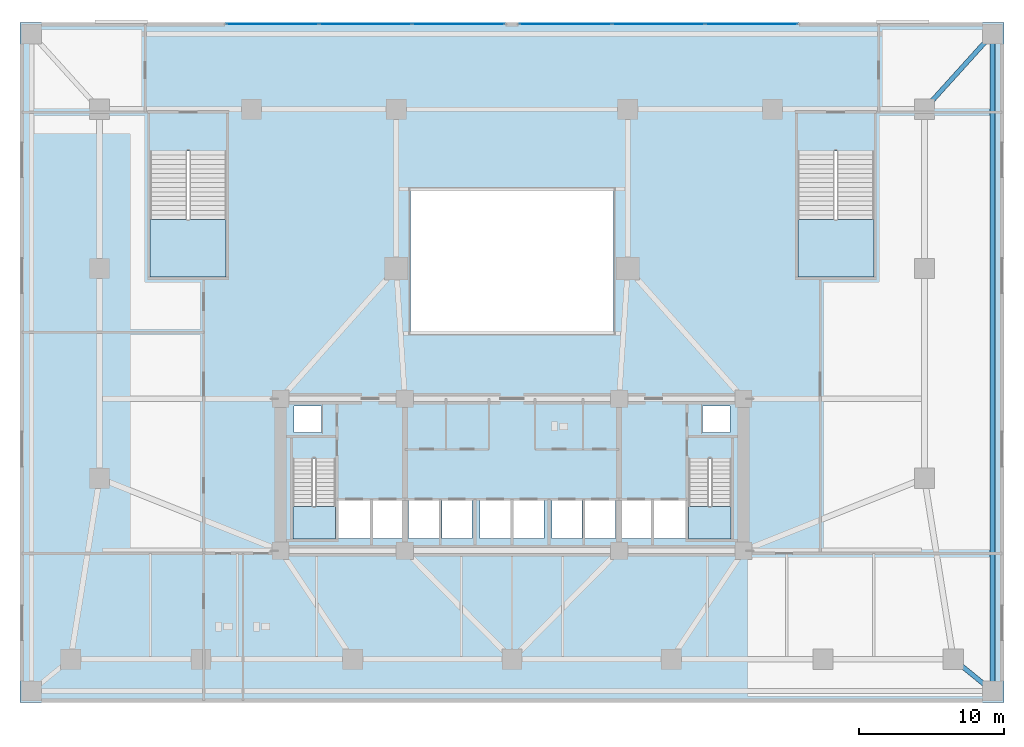
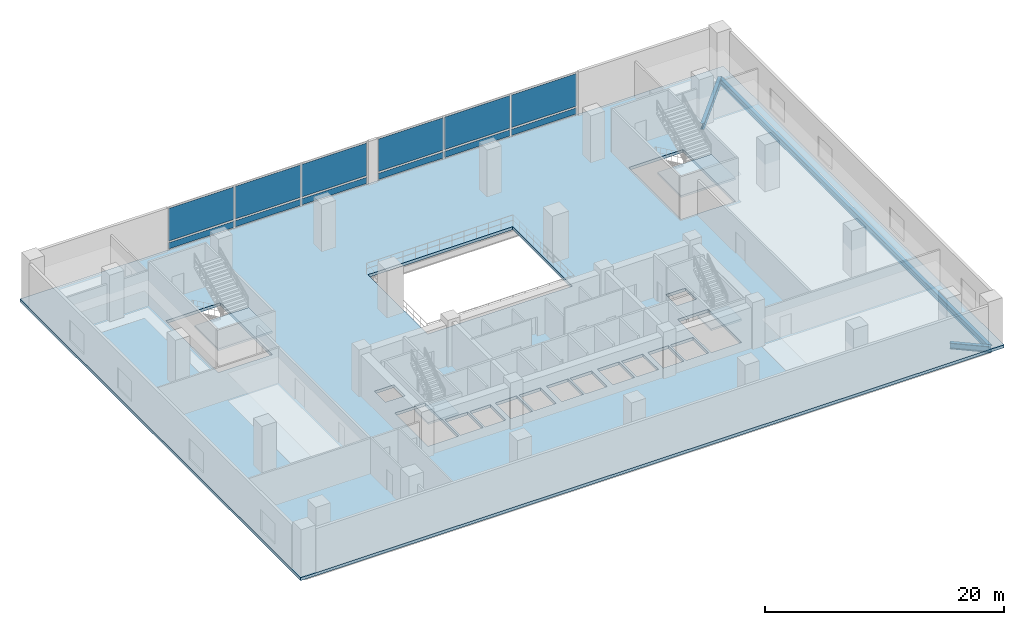
# One storey, part 5 of 15: 12 plates, 5 slabs, 3 beams, 6 elements without a shape of their own.
"""IFC4 building model written with IfcOpenShell, lengths in metres."""

from ifc_helpers import new_model, si_unit, direction, frame, origin, origin_2d, place, context, subcontext, project, spatial, polyline, rectangle, i_section, outline, extrude, material, layer, layer_set, material_profile, profile_set, type_object, element, aggregate, save


model = new_model("IFC4")

# Units and contexts
model_context = context("Model", 3, precision=1e-05, world=origin(), true_north=direction((0.0, 1.0)))
body_context = subcontext(model_context, "Body", "Model", "MODEL_VIEW")
ifc_project = project(units=[si_unit("LENGTHUNIT", "METRE"), si_unit("AREAUNIT", "SQUARE_METRE"), si_unit("VOLUMEUNIT", "CUBIC_METRE"), si_unit("PLANEANGLEUNIT", "RADIAN"), si_unit("MASSUNIT", "GRAM", prefix="KILO")], contexts=[model_context])

# Site, building, storey
site_placement = place(None, origin())
site = spatial("IfcSite", under=ifc_project, at=site_placement, CompositionType="ELEMENT")
building_placement = place(site_placement, origin())
building = spatial("IfcBuilding", under=site, at=building_placement, Name="Solmavex Isthmus Hotel", CompositionType="ELEMENT")
storey_placement = place(building_placement, frame((0.0, 0.0, 11.39990234375)))
storey = spatial("IfcBuildingStorey", under=building, at=storey_placement, Name="L03", CompositionType="ELEMENT", Elevation=11.39990234375)

# Beams
ifc_material_1 = material(Name="Steel ASTM A992 Grade 50", Category="steel")
ifc_material_profile = material_profile(ifc_material_1, i_section(OverallWidth=0.326416015625, OverallDepth=0.621826171875, WebThickness=0.015380859375, FlangeThickness=0.0244140625, FilletRadius=0.01513671875, at=origin_2d()), Name="W24X131")
ifc_profile_set = profile_set([ifc_material_profile], Name="Steel ASTM A992 Grade 50")
beam_type = type_object("IfcBeamType", Name="BM-SP-W24X131", PredefinedType="SPANDREL", material=ifc_profile_set)
beam_1_placement = place(storey_placement, frame((30.5, -20.5, -0.61083984375), z_axis=(0.77523625691, -0.631671390814, 0.0), x_axis=(0.631671390814, 0.77523625691, 0.0)))
element("IfcBeam", 1, at=beam_1_placement, inside=storey, type_object=beam_type, Name="Podium Corner Perimeter Girder L03-CR02", PredefinedType="SPANDREL", context=body_context, shape_type="SweptSolid", body=[
    extrude(i_section(OverallWidth=0.326416015625, OverallDepth=0.621826171875, WebThickness=0.015380859375, FlangeThickness=0.0244140625, FilletRadius=0.01513671875, at=origin_2d()), origin(), (0.0, 0.0, 1.0), 3.482666015625),
])
beam_2_placement = place(storey_placement, frame((33.199951171875, -22.699951171875, -0.61083984375), z_axis=(0.0, 1.0, 0.0), x_axis=(-1.0, 0.0, 0.0)))
element("IfcBeam", 2, at=beam_2_placement, inside=storey, type_object=beam_type, Name="Podium Corner Perimeter Girder L03-CR04", PredefinedType="SPANDREL", context=body_context, shape_type="SweptSolid", body=[
    extrude(i_section(OverallWidth=0.326416015625, OverallDepth=0.621826171875, WebThickness=0.015380859375, FlangeThickness=0.0244140625, FilletRadius=0.01513671875, at=origin_2d()), origin(), (0.0, 0.0, 1.0), 45.39990234375),
])
beam_3_placement = place(storey_placement, frame((28.5, 17.5, -0.61083984375), z_axis=(0.670539300557, 0.741874009795, 0.0), x_axis=(-0.741874009795, 0.670539300557, 0.0)))
element("IfcBeam", 3, at=beam_3_placement, inside=storey, type_object=beam_type, Name="Podium Corner Perimeter Girder L03-CR06", PredefinedType="SPANDREL", context=body_context, shape_type="SweptSolid", body=[
    extrude(i_section(OverallWidth=0.326416015625, OverallDepth=0.621826171875, WebThickness=0.015380859375, FlangeThickness=0.0244140625, FilletRadius=0.01513671875, at=origin_2d()), origin(), (0.0, 0.0, 1.0), 7.00927734375),
])

# Curtain wall, plates
ifc_material_2 = material(Name="Aluminium alloy 6063-T6", Category="aluminium")
curtain_wall_type = type_object("IfcCurtainWallType", Name="CW-SYS-01", PredefinedType="NOTDEFINED", material=ifc_material_2)
curtain_wall_1_placement = place(storey_placement, origin())
curtain_wall_1 = element("IfcCurtainWall", 4, at=curtain_wall_1_placement, inside=storey, type_object=curtain_wall_type, Name="Stick Curtain Wall CWL-L03-NW", PredefinedType="NOTDEFINED")
ifc_material_3 = material(Name="Clear low-E laminated glass", Category="glass")
ifc_layer_1 = layer(ifc_material_3, 0.035888671875)
ifc_layer_set_1 = layer_set([ifc_layer_1], Name="Clear low-E laminated glass")
plate_type = type_object("IfcPlateType", Name="CW-SYS-01-PNL", PredefinedType="CURTAIN_PANEL", material=ifc_layer_set_1)
plate_1_placement = place(storey_placement, frame((-16.554931640625, 23.3798828125, 0.18017578125), z_axis=(0.0, 0.0, 1.0), x_axis=(1.0, 0.0, 0.0)))
plate_1 = element("IfcPlate", 5, at=plate_1_placement, type_object=plate_type, Name="CW-01 panel 1.1", PredefinedType="CURTAIN_PANEL", context=body_context, shape_type="SweptSolid", body=[
    extrude(rectangle(XDim=6.330078125, YDim=0.035888671875, at=origin_2d()), origin(), (0.0, 0.0, 1.0), 0.6298828125),
])
plate_2_placement = place(storey_placement, frame((-16.554931640625, 23.3798828125, 0.989990234375), z_axis=(0.0, 0.0, 1.0), x_axis=(1.0, 0.0, 0.0)))
plate_2 = element("IfcPlate", 6, at=plate_2_placement, type_object=plate_type, Name="CW-01 panel 1.2", PredefinedType="CURTAIN_PANEL", context=body_context, shape_type="SweptSolid", body=[
    extrude(rectangle(XDim=6.330078125, YDim=0.035888671875, at=origin_2d()), origin(), (0.0, 0.0, 1.0), 3.330078125),
])
plate_3_placement = place(storey_placement, frame((-10.125, 23.3798828125, 0.18017578125), z_axis=(0.0, 0.0, 1.0), x_axis=(1.0, 0.0, 0.0)))
plate_3 = element("IfcPlate", 7, at=plate_3_placement, type_object=plate_type, Name="CW-01 panel 2.1", PredefinedType="CURTAIN_PANEL", context=body_context, shape_type="SweptSolid", body=[
    extrude(rectangle(XDim=6.3701171875, YDim=0.035888671875, at=origin_2d()), origin(), (0.0, 0.0, 1.0), 0.6298828125),
])
plate_4_placement = place(storey_placement, frame((-10.125, 23.3798828125, 0.989990234375), z_axis=(0.0, 0.0, 1.0), x_axis=(1.0, 0.0, 0.0)))
plate_4 = element("IfcPlate", 8, at=plate_4_placement, type_object=plate_type, Name="CW-01 panel 2.2", PredefinedType="CURTAIN_PANEL", context=body_context, shape_type="SweptSolid", body=[
    extrude(rectangle(XDim=6.3701171875, YDim=0.035888671875, at=origin_2d()), origin(), (0.0, 0.0, 1.0), 3.330078125),
])
plate_5_placement = place(storey_placement, frame((-3.695068359375, 23.3798828125, 0.18017578125), z_axis=(0.0, 0.0, 1.0), x_axis=(1.0, 0.0, 0.0)))
plate_5 = element("IfcPlate", 9, at=plate_5_placement, type_object=plate_type, Name="CW-01 panel 3.1", PredefinedType="CURTAIN_PANEL", context=body_context, shape_type="SweptSolid", body=[
    extrude(rectangle(XDim=6.330078125, YDim=0.035888671875, at=origin_2d()), origin(), (0.0, 0.0, 1.0), 0.6298828125),
])
plate_6_placement = place(storey_placement, frame((-3.695068359375, 23.3798828125, 0.989990234375), z_axis=(0.0, 0.0, 1.0), x_axis=(1.0, 0.0, 0.0)))
plate_6 = element("IfcPlate", 10, at=plate_6_placement, type_object=plate_type, Name="CW-01 panel 3.2", PredefinedType="CURTAIN_PANEL", context=body_context, shape_type="SweptSolid", body=[
    extrude(rectangle(XDim=6.330078125, YDim=0.035888671875, at=origin_2d()), origin(), (0.0, 0.0, 1.0), 3.330078125),
])
aggregate(curtain_wall_1, [plate_1, plate_2, plate_3, plate_4, plate_5, plate_6])

curtain_wall_2_placement = place(storey_placement, origin())
curtain_wall_2 = element("IfcCurtainWall", 11, at=curtain_wall_2_placement, inside=storey, type_object=curtain_wall_type, Name="Stick Curtain Wall CWL-L03-NE", PredefinedType="NOTDEFINED")
plate_7_placement = place(storey_placement, frame((3.695068359375, 23.3798828125, 0.18017578125), z_axis=(0.0, 0.0, 1.0), x_axis=(1.0, 0.0, 0.0)))
plate_7 = element("IfcPlate", 12, at=plate_7_placement, type_object=plate_type, Name="CW-01 panel 1.1", PredefinedType="CURTAIN_PANEL", context=body_context, shape_type="SweptSolid", body=[
    extrude(rectangle(XDim=6.330078125, YDim=0.035888671875, at=origin_2d()), origin(), (0.0, 0.0, 1.0), 0.6298828125),
])
plate_8_placement = place(storey_placement, frame((3.695068359375, 23.3798828125, 0.989990234375), z_axis=(0.0, 0.0, 1.0), x_axis=(1.0, 0.0, 0.0)))
plate_8 = element("IfcPlate", 13, at=plate_8_placement, type_object=plate_type, Name="CW-01 panel 1.2", PredefinedType="CURTAIN_PANEL", context=body_context, shape_type="SweptSolid", body=[
    extrude(rectangle(XDim=6.330078125, YDim=0.035888671875, at=origin_2d()), origin(), (0.0, 0.0, 1.0), 3.330078125),
])
plate_9_placement = place(storey_placement, frame((10.125, 23.3798828125, 0.18017578125), z_axis=(0.0, 0.0, 1.0), x_axis=(1.0, 0.0, 0.0)))
plate_9 = element("IfcPlate", 14, at=plate_9_placement, type_object=plate_type, Name="CW-01 panel 2.1", PredefinedType="CURTAIN_PANEL", context=body_context, shape_type="SweptSolid", body=[
    extrude(rectangle(XDim=6.3701171875, YDim=0.035888671875, at=origin_2d()), origin(), (0.0, 0.0, 1.0), 0.6298828125),
])
plate_10_placement = place(storey_placement, frame((10.125, 23.3798828125, 0.989990234375), z_axis=(0.0, 0.0, 1.0), x_axis=(1.0, 0.0, 0.0)))
plate_10 = element("IfcPlate", 15, at=plate_10_placement, type_object=plate_type, Name="CW-01 panel 2.2", PredefinedType="CURTAIN_PANEL", context=body_context, shape_type="SweptSolid", body=[
    extrude(rectangle(XDim=6.3701171875, YDim=0.035888671875, at=origin_2d()), origin(), (0.0, 0.0, 1.0), 3.330078125),
])
plate_11_placement = place(storey_placement, frame((16.554931640625, 23.3798828125, 0.18017578125), z_axis=(0.0, 0.0, 1.0), x_axis=(1.0, 0.0, 0.0)))
plate_11 = element("IfcPlate", 16, at=plate_11_placement, type_object=plate_type, Name="CW-01 panel 3.1", PredefinedType="CURTAIN_PANEL", context=body_context, shape_type="SweptSolid", body=[
    extrude(rectangle(XDim=6.330078125, YDim=0.035888671875, at=origin_2d()), origin(), (0.0, 0.0, 1.0), 0.6298828125),
])
plate_12_placement = place(storey_placement, frame((16.554931640625, 23.3798828125, 0.989990234375), z_axis=(0.0, 0.0, 1.0), x_axis=(1.0, 0.0, 0.0)))
plate_12 = element("IfcPlate", 17, at=plate_12_placement, type_object=plate_type, Name="CW-01 panel 3.2", PredefinedType="CURTAIN_PANEL", context=body_context, shape_type="SweptSolid", body=[
    extrude(rectangle(XDim=6.330078125, YDim=0.035888671875, at=origin_2d()), origin(), (0.0, 0.0, 1.0), 3.330078125),
])
aggregate(curtain_wall_2, [plate_7, plate_8, plate_9, plate_10, plate_11, plate_12])

# Slab
ifc_material_4 = material(Name="Concrete C40/50", Category="concrete")
ifc_layer_2 = layer(ifc_material_4, 0.300048828125)
ifc_layer_set_2 = layer_set([ifc_layer_2], Name="Concrete C40/50")
slab_type_1 = type_object("IfcSlabType", Name="SLAB-POD-300", PredefinedType="FLOOR", material=ifc_layer_set_2)
slab_1_placement = place(storey_placement, frame((0.0, 0.0, -0.2998046875)))
element("IfcSlab", 18, at=slab_1_placement, inside=storey, type_object=slab_type_1, Name="Podium Floor Slab L03", PredefinedType="FLOOR", context=body_context, shape_type="SweptSolid", body=[
    extrude(outline(polyline([(-34.0, -23.5), (34.0, -23.5), (34.0, 23.5), (-34.0, 23.5), (-34.0, -23.5)]), holes=[polyline([(-15.14990234375, -6.617919921875), (-15.14990234375, -12.199951171875), (-12.199951171875, -12.199951171875), (-12.199951171875, -6.617919921875), (-15.14990234375, -6.617919921875)]), polyline([(12.199951171875, -6.617919921875), (12.199951171875, -12.199951171875), (15.14990234375, -12.199951171875), (15.14990234375, -6.617919921875), (12.199951171875, -6.617919921875)]), polyline([(19.75, 14.632080078125), (19.75, 5.89990234375), (25.0, 5.89990234375), (25.0, 14.632080078125), (19.75, 14.632080078125)]), polyline([(-25.0, 14.632080078125), (-25.0, 5.89990234375), (-19.75, 5.89990234375), (-19.75, 14.632080078125), (-25.0, 14.632080078125)]), polyline([(-12.0, -12.14990234375), (-9.800048828125, -12.14990234375), (-9.800048828125, -9.550048828125), (-12.0, -9.550048828125), (-12.0, -12.14990234375)]), polyline([(9.800048828125, -12.14990234375), (12.0, -12.14990234375), (12.0, -9.550048828125), (9.800048828125, -9.550048828125), (9.800048828125, -12.14990234375)]), polyline([(-9.60009765625, -12.14990234375), (-7.60009765625, -12.14990234375), (-7.60009765625, -9.550048828125), (-9.60009765625, -9.550048828125), (-9.60009765625, -12.14990234375)]), polyline([(7.60009765625, -12.14990234375), (9.60009765625, -12.14990234375), (9.60009765625, -9.550048828125), (7.60009765625, -9.550048828125), (7.60009765625, -12.14990234375)]), polyline([(-7.14990234375, -12.14990234375), (-5.050048828125, -12.14990234375), (-5.050048828125, -9.550048828125), (-7.14990234375, -9.550048828125), (-7.14990234375, -12.14990234375)]), polyline([(-4.85009765625, -12.14990234375), (-2.75, -12.14990234375), (-2.75, -9.550048828125), (-4.85009765625, -9.550048828125), (-4.85009765625, -12.14990234375)]), polyline([(-2.199951171875, -12.14990234375), (-0.10009765625, -12.14990234375), (-0.10009765625, -9.550048828125), (-2.199951171875, -9.550048828125), (-2.199951171875, -12.14990234375)]), polyline([(0.10009765625, -12.14990234375), (2.199951171875, -12.14990234375), (2.199951171875, -9.550048828125), (0.10009765625, -9.550048828125), (0.10009765625, -12.14990234375)]), polyline([(2.75, -12.14990234375), (4.85009765625, -12.14990234375), (4.85009765625, -9.550048828125), (2.75, -9.550048828125), (2.75, -12.14990234375)]), polyline([(5.050048828125, -12.14990234375), (7.14990234375, -12.14990234375), (7.14990234375, -9.550048828125), (5.050048828125, -9.550048828125), (5.050048828125, -12.14990234375)]), polyline([(-7.0, 2.0), (7.0, 2.0), (7.0, 12.0), (-7.0, 12.0), (-7.0, 2.0)]), polyline([(-15.050048828125, -4.85009765625), (-13.14990234375, -4.85009765625), (-13.14990234375, -3.0), (-15.050048828125, -3.0), (-15.050048828125, -4.85009765625)]), polyline([(13.14990234375, -4.85009765625), (15.050048828125, -4.85009765625), (15.050048828125, -3.0), (13.14990234375, -3.0), (13.14990234375, -4.85009765625)])]), origin(), (0.0, 0.0, 1.0), 0.2998046875),
])

# Stair, slab
stair_type_1 = type_object("IfcStairType", Name="STR-ST-1", PredefinedType="HALF_TURN_STAIR", material=ifc_material_4)
stair_1_placement = place(storey_placement, origin())
stair_1 = element("IfcStair", 19, at=stair_1_placement, inside=storey, type_object=stair_type_1, Name="L03 Protected Exit Stair ST-1", PredefinedType="HALF_TURN_STAIR")
ifc_layer_3 = layer(ifc_material_4, 0.219970703125)
ifc_layer_set_3 = layer_set([ifc_layer_3], Name="Concrete C40/50")
slab_type_2 = type_object("IfcSlabType", Name="SLD-ST-1", PredefinedType="LANDING", material=ifc_layer_set_3)
slab_2_placement = place(storey_placement, frame((0.0, 0.0, 2.2001953125)))
slab_2 = element("IfcSlab", 20, at=slab_2_placement, type_object=slab_type_2, Name="ST-1 landing 1", PredefinedType="LANDING", context=body_context, shape_type="SweptSolid", body=[
    extrude(outline(polyline([(-15.14990234375, -9.9599609375), (-15.14990234375, -12.199951171875), (-12.199951171875, -12.199951171875), (-12.199951171875, -9.9599609375), (-15.14990234375, -9.9599609375)])), origin(), (0.0, 0.0, 1.0), 0.199951171875),
])
aggregate(stair_1, [slab_2])

stair_type_2 = type_object("IfcStairType", Name="STR-ST-2", PredefinedType="HALF_TURN_STAIR", material=ifc_material_4)
stair_2_placement = place(storey_placement, origin())
stair_2 = element("IfcStair", 21, at=stair_2_placement, inside=storey, type_object=stair_type_2, Name="L03 Protected Exit Stair ST-2", PredefinedType="HALF_TURN_STAIR")
ifc_layer_4 = layer(ifc_material_4, 0.219970703125)
ifc_layer_set_4 = layer_set([ifc_layer_4], Name="Concrete C40/50")
slab_type_3 = type_object("IfcSlabType", Name="SLD-ST-2", PredefinedType="LANDING", material=ifc_layer_set_4)
slab_3_placement = place(storey_placement, frame((0.0, 0.0, 2.2001953125)))
slab_3 = element("IfcSlab", 22, at=slab_3_placement, type_object=slab_type_3, Name="ST-2 landing 1", PredefinedType="LANDING", context=body_context, shape_type="SweptSolid", body=[
    extrude(outline(polyline([(12.199951171875, -9.9599609375), (12.199951171875, -12.199951171875), (15.14990234375, -12.199951171875), (15.14990234375, -9.9599609375), (12.199951171875, -9.9599609375)])), origin(), (0.0, 0.0, 1.0), 0.199951171875),
])
aggregate(stair_2, [slab_3])

stair_type_3 = type_object("IfcStairType", Name="STR-ST-3", PredefinedType="HALF_TURN_STAIR", material=ifc_material_4)
stair_3_placement = place(storey_placement, origin())
stair_3 = element("IfcStair", 23, at=stair_3_placement, inside=storey, type_object=stair_type_3, Name="L03 Podium Assembly Exit Stair ST-3", PredefinedType="HALF_TURN_STAIR")
ifc_layer_5 = layer(ifc_material_4, 0.219970703125)
ifc_layer_set_5 = layer_set([ifc_layer_5], Name="Concrete C40/50")
slab_type_4 = type_object("IfcSlabType", Name="SLD-ST-3", PredefinedType="LANDING", material=ifc_layer_set_5)
slab_4_placement = place(storey_placement, frame((0.0, 0.0, 2.2001953125)))
slab_4 = element("IfcSlab", 24, at=slab_4_placement, type_object=slab_type_4, Name="ST-3 landing 1", PredefinedType="LANDING", context=body_context, shape_type="SweptSolid", body=[
    extrude(outline(polyline([(19.75, 9.8798828125), (19.75, 5.89990234375), (25.0, 5.89990234375), (25.0, 9.8798828125), (19.75, 9.8798828125)])), origin(), (0.0, 0.0, 1.0), 0.199951171875),
])
aggregate(stair_3, [slab_4])

stair_type_4 = type_object("IfcStairType", Name="STR-ST-4", PredefinedType="HALF_TURN_STAIR", material=ifc_material_4)
stair_4_placement = place(storey_placement, origin())
stair_4 = element("IfcStair", 25, at=stair_4_placement, inside=storey, type_object=stair_type_4, Name="L03 Podium Assembly Exit Stair ST-4", PredefinedType="HALF_TURN_STAIR")
ifc_layer_6 = layer(ifc_material_4, 0.219970703125)
ifc_layer_set_6 = layer_set([ifc_layer_6], Name="Concrete C40/50")
slab_type_5 = type_object("IfcSlabType", Name="SLD-ST-4", PredefinedType="LANDING", material=ifc_layer_set_6)
slab_5_placement = place(storey_placement, frame((0.0, 0.0, 2.2001953125)))
slab_5 = element("IfcSlab", 26, at=slab_5_placement, type_object=slab_type_5, Name="ST-4 landing 1", PredefinedType="LANDING", context=body_context, shape_type="SweptSolid", body=[
    extrude(outline(polyline([(-25.0, 9.8798828125), (-25.0, 5.89990234375), (-19.75, 5.89990234375), (-19.75, 9.8798828125), (-25.0, 9.8798828125)])), origin(), (0.0, 0.0, 1.0), 0.199951171875),
])
aggregate(stair_4, [slab_5])

save(model, "model.ifc")
